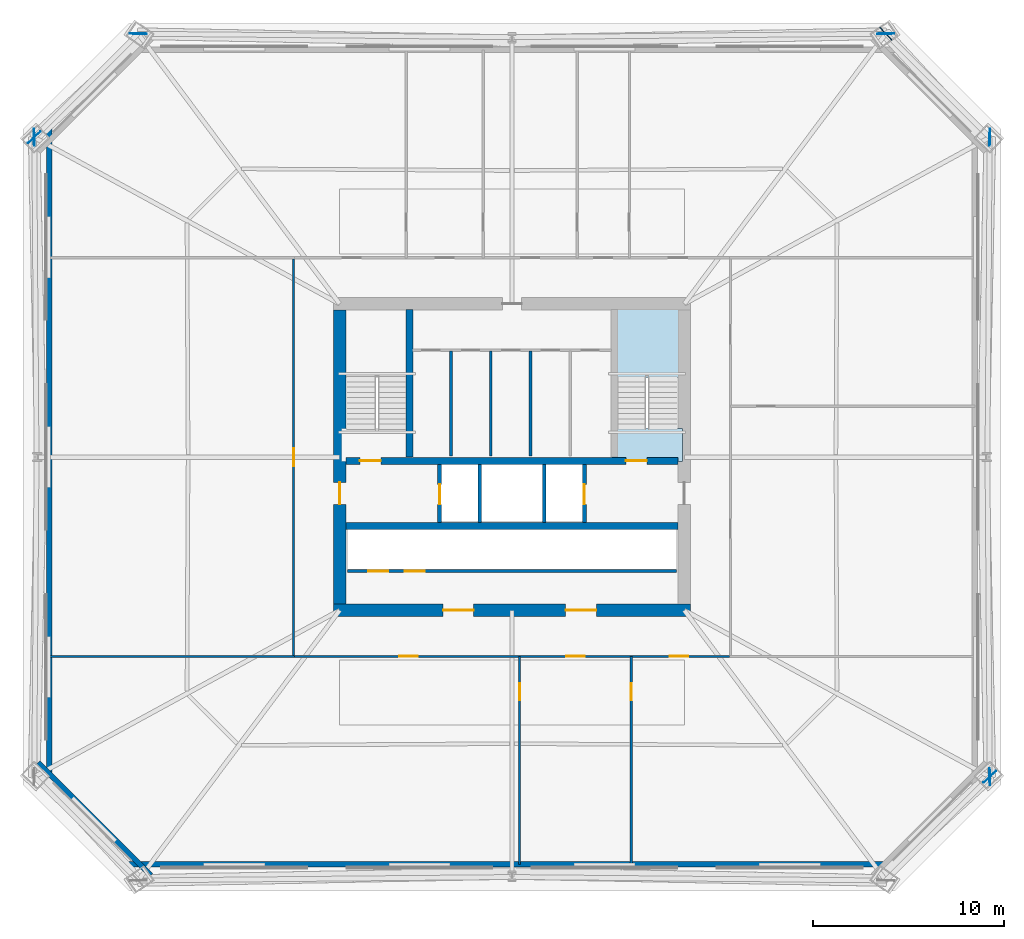
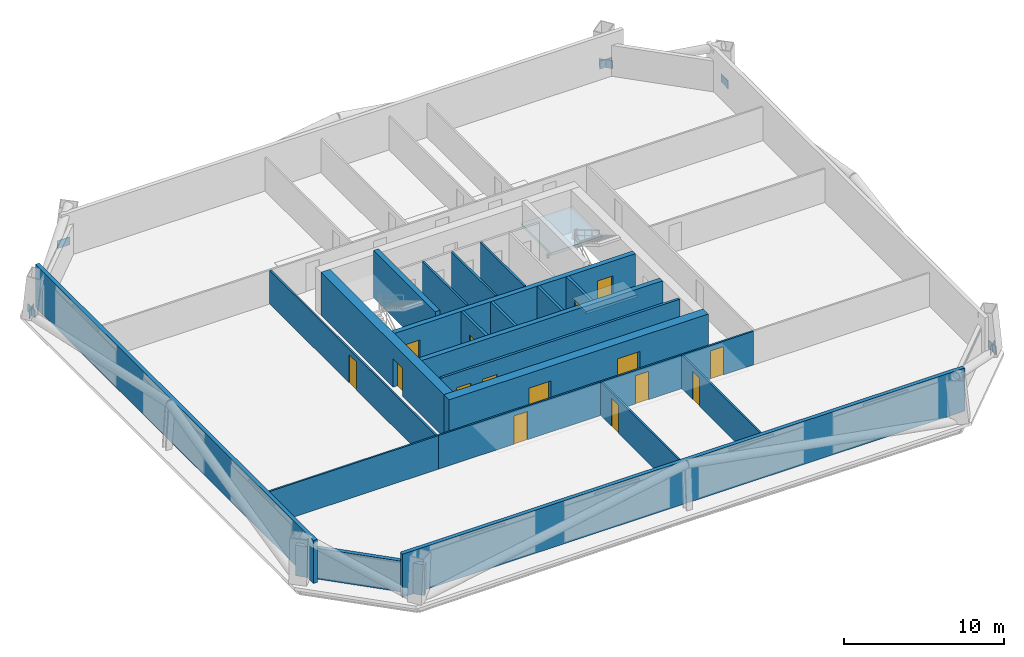
# One storey, part 4 of 9: 21 walls, 15 doors, 8 plates, 2 slabs, 15 openings, 1 element without a shape of its own.
"""IFC4 building model written with IfcOpenShell, lengths in metres."""

from ifc_helpers import new_model, si_unit, direction, frame, frame_2d, origin, origin_2d, place, context, subcontext, project, spatial, polyline, rectangle, outline, extrude, material, layer, layer_set, type_object, element, fill, aggregate, save


model = new_model("IFC4")

# Units and contexts
model_context = context("Model", 3, precision=1e-05, world=origin(), true_north=direction((0.0, 1.0)))
body_context = subcontext(model_context, "Body", "Model", "MODEL_VIEW")
ifc_project = project(units=[si_unit("LENGTHUNIT", "METRE"), si_unit("AREAUNIT", "SQUARE_METRE"), si_unit("VOLUMEUNIT", "CUBIC_METRE"), si_unit("PLANEANGLEUNIT", "RADIAN"), si_unit("MASSUNIT", "GRAM", prefix="KILO")], contexts=[model_context])

# Site, building, storey
site_placement = place(None, origin())
site = spatial("IfcSite", under=ifc_project, at=site_placement, CompositionType="ELEMENT")
building_placement = place(site_placement, origin())
building = spatial("IfcBuilding", under=site, at=building_placement, Name="Caelvoria Tower", CompositionType="ELEMENT")
storey_placement = place(building_placement, frame((0.0, 0.0, 82.0)))
storey = spatial("IfcBuildingStorey", under=building, at=storey_placement, Name="L21", CompositionType="ELEMENT", Elevation=82.0)

# Plates
ifc_material_1 = material(Name="Structural Steel ASTM A572 Gr.50", Category="steel")
ifc_layer_1 = layer(ifc_material_1, 0.0400390625, Name="Structural Steel ASTM A572 Gr.50")
ifc_layer_set_1 = layer_set([ifc_layer_1], Name="Megaframe Node Gusset Plate 900x600x40 - Structural Steel ASTM A572 Gr.50")
plate_type = type_object("IfcPlateType", Name="Megaframe Node Gusset Plate 900x600x40", PredefinedType="USERDEFINED", material=ifc_layer_set_1)
for number, where, z_axis, x_axis, name in (
    (1, (70.95166015625, 15.300537109375, 0.02001953125), (0.0, 0.0, 1.0), (-0.736686312224, -0.676234631901, 0.0), "Chamfer Mega Brace Gusset L21 SE"),
    (2, (65.5234375, 54.1103515625, 0.02001953125), (0.0, 0.0, 1.0), (0.678423855626, -0.734670723602, 0.0), "Chamfer Mega Brace Gusset L21 NE"),
    (3, (21.04833984375, 48.699462890625, 0.02001953125), (0.0, 0.0, 1.0), (0.736686312224, 0.676234631901, 0.0), "Chamfer Mega Brace Gusset L21 NW"),
    (4, (70.95166015625, 15.300537109375, 0.050048828125), (0.0, 0.0, 1.0), (-0.020253161105, 0.999794883696, 0.0), "Megaframe Node Gusset Plate ND-04"),
    (5, (70.95166015625, 48.699462890625, 0.050048828125), (0.0, 0.0, 1.0), (-0.020253161105, -0.999794883696, 0.0), "Megaframe Node Gusset Plate ND-04"),
    (6, (65.5234375, 54.1103515625, 0.050048828125), (0.0, 0.0, 1.0), (-0.99982663572, -0.01861984171, 0.0), "Megaframe Node Gusset Plate ND-04"),
    (7, (26.4765625, 54.1103515625, 0.050048828125), (0.0, 0.0, 1.0), (0.99982663572, -0.01861984171, 0.0), "Megaframe Node Gusset Plate ND-04"),
    (8, (21.04833984375, 48.699462890625, 0.050048828125), (0.0, 0.0, 1.0), (0.020253161105, -0.999794883696, 0.0), "Megaframe Node Gusset Plate ND-04"),
):
    element("IfcPlate", number, at=place(storey_placement, frame(where, z_axis=z_axis, x_axis=x_axis)), inside=storey, type_object=plate_type, Name=name, ObjectType="GUSSET_PLATE", PredefinedType="USERDEFINED", context=body_context, shape_type="SweptSolid", body=[
        extrude(rectangle(XDim=0.89990234375, YDim=0.0400390625, at=origin_2d()), origin(), (0.0, 0.0, 1.0), 0.60009765625),
    ])

# Stair, slabs
ifc_material_2 = material(Name="Concrete C40/50", Category="concrete")
stair_type = type_object("IfcStairType", Name="Core Smokeproof Dogleg Stair Concrete C40/50", PredefinedType="HALF_TURN_STAIR", material=ifc_material_2)
stair_placement = place(storey_placement, origin())
stair = element("IfcStair", 9, at=stair_placement, inside=storey, type_object=stair_type, Name="ST-02 Smokeproof Exit Stair L21", PredefinedType="HALF_TURN_STAIR")
ifc_layer_2 = layer(ifc_material_2, 0.199951171875, Name="Concrete C40/50")
ifc_layer_set_2 = layer_set([ifc_layer_2], Name="Stair Half and Floor Landing Slab 200 Concrete C40/50 - Concrete C40/50")
slab_type = type_object("IfcSlabType", Name="Stair Half and Floor Landing Slab 200 Concrete C40/50", PredefinedType="LANDING", material=ifc_layer_set_2)
slab_1_placement = place(storey_placement, frame((0.0, 0.0, -0.199951171875)))
slab_1 = element("IfcSlab", 10, at=slab_1_placement, type_object=slab_type, Name="ST-02 landing 1", PredefinedType="LANDING", context=body_context, shape_type="SweptSolid", body=[
    extrude(outline(polyline([(51.199951171875, 31.77001953125), (54.89990234375, 31.77001953125), (54.89990234375, 33.5), (51.199951171875, 33.5), (51.199951171875, 31.77001953125)])), origin(), (0.0, 0.0, 1.0), 0.199951171875),
])
slab_2_placement = place(storey_placement, frame((0.0, 0.0, 1.60009765625)))
slab_2 = element("IfcSlab", 11, at=slab_2_placement, type_object=slab_type, Name="ST-02 landing 2", PredefinedType="LANDING", context=body_context, shape_type="SweptSolid", body=[
    extrude(outline(polyline([(51.199951171875, 36.14990234375), (54.89990234375, 36.14990234375), (54.89990234375, 39.89990234375), (51.199951171875, 39.89990234375), (51.199951171875, 36.14990234375)])), origin(), (0.0, 0.0, 1.0), 0.199951171875),
])
aggregate(stair, [slab_1, slab_2])

# Wall, openings, doors
ifc_material_3 = material(Name="Concrete C50/60", Category="concrete")
ifc_layer_3 = layer(ifc_material_3, 0.35009765625, Name="Concrete C50/60")
ifc_layer_set_3 = layer_set([ifc_layer_3], Name="Core Internal Shear Wall 350 - Concrete C50/60")
wall_type_1 = type_object("IfcWallType", Name="Core Internal Shear Wall 350", PredefinedType="SHEAR", material=ifc_layer_set_3)
wall_1_placement = place(storey_placement, frame((37.324951171875, 31.800048828125, 0.0), z_axis=(0.0, 0.0, 1.0), x_axis=(1.0, 0.0, 0.0)))
wall_1 = element("IfcWall", 12, at=wall_1_placement, inside=storey, type_object=wall_type_1, Name="Core Shear Wall L21 M1", PredefinedType="SHEAR", context=body_context, shape_type="SweptSolid", body=[
    extrude(rectangle(XDim=17.35009765625, YDim=0.35009765625, at=frame_2d((8.675048828125, 0.0))), origin(), (0.0, 0.0, 1.0), 3.280029296875),
])
opening_1_placement = place(wall_1_placement, frame((0.72509765625, 0.0, 0.0)))
opening_1 = element("IfcOpeningElement", 13, at=opening_1_placement, cuts=wall_1, Name="Opening ID-01", PredefinedType="OPENING", context=body_context, shape_type="SweptSolid", body=[
    extrude(rectangle(XDim=1.10009765625, YDim=2.14990234375, at=frame_2d((0.550048828125, 1.074951171875))), frame((0.0, 0.18505859375, 0.0), z_axis=(0.0, -1.0, 0.0), x_axis=(1.0, 0.0, 0.0)), (0.0, 0.0, 1.0), 0.3701171875),
])
opening_2_placement = place(wall_1_placement, frame((14.625, 0.0, 0.0)))
opening_2 = element("IfcOpeningElement", 14, at=opening_2_placement, cuts=wall_1, Name="Opening ID-01", PredefinedType="OPENING", context=body_context, shape_type="SweptSolid", body=[
    extrude(rectangle(XDim=1.10009765625, YDim=2.14990234375, at=frame_2d((0.550048828125, 1.074951171875))), frame((0.0, 0.18505859375, 0.0), z_axis=(0.0, -1.0, 0.0), x_axis=(1.0, 0.0, 0.0)), (0.0, 0.0, 1.0), 0.3701171875),
])
ifc_material_4 = material(Name="Painted Hollow Steel Fire Door", Category="steel")
door_type_1 = type_object("IfcDoorType", Name="Fire Door FD90S 1100x2150", OperationType="NOTDEFINED", PredefinedType="DOOR", material=ifc_material_4)
door_1_placement = place(opening_1_placement, origin())
door_1 = element("IfcDoor", 15, at=door_1_placement, inside=storey, type_object=door_type_1, Name="Core Door DR-L21-ST1", OperationType="SINGLE_SWING_LEFT", OverallHeight=2.14990234375, OverallWidth=1.10009765625, PredefinedType="DOOR", context=body_context, shape_type="SweptSolid", body=[
    extrude(rectangle(XDim=1.10009765625, YDim=2.14990234375, at=frame_2d((0.550048828125, 1.074951171875))), frame((0.0, 0.02490234375, 0.0), z_axis=(0.0, -1.0, 0.0), x_axis=(1.0, 0.0, 0.0)), (0.0, 0.0, 1.0), 0.050048828125),
])
fill(opening_1, door_1)
door_2_placement = place(opening_2_placement, origin())
door_2 = element("IfcDoor", 16, at=door_2_placement, inside=storey, type_object=door_type_1, Name="Core Door DR-L21-ST2", OperationType="SINGLE_SWING_RIGHT", OverallHeight=2.14990234375, OverallWidth=1.10009765625, PredefinedType="DOOR", context=body_context, shape_type="SweptSolid", body=[
    extrude(rectangle(XDim=1.10009765625, YDim=2.14990234375, at=frame_2d((0.550048828125, 1.074951171875))), frame((0.0, 0.02490234375, 0.0), z_axis=(0.0, -1.0, 0.0), x_axis=(1.0, 0.0, 0.0)), (0.0, 0.0, 1.0), 0.050048828125),
])
fill(opening_2, door_2)

# Walls
wall_2_placement = place(storey_placement, frame((37.324951171875, 28.39990234375, 0.0), z_axis=(0.0, 0.0, 1.0), x_axis=(1.0, 0.0, 0.0)))
element("IfcWall", 17, at=wall_2_placement, inside=storey, type_object=wall_type_1, Name="Core Shear Wall L21 M2", PredefinedType="SHEAR", context=body_context, shape_type="SweptSolid", body=[
    extrude(rectangle(XDim=17.35009765625, YDim=0.35009765625, at=frame_2d((8.675048828125, 0.0))), origin(), (0.0, 0.0, 1.0), 3.280029296875),
])
wall_3_placement = place(storey_placement, frame((40.64990234375, 32.0, 0.0), z_axis=(0.0, 0.0, 1.0), x_axis=(0.0, 1.0, 0.0)))
element("IfcWall", 18, at=wall_3_placement, inside=storey, type_object=wall_type_1, Name="Interior Partition IW-L21-ST1E", PredefinedType="SHEAR", context=body_context, shape_type="SweptSolid", body=[
    extrude(rectangle(XDim=7.699951171875, YDim=0.35009765625, at=frame_2d((3.85009765625, 0.0))), origin(), (0.0, 0.0, 1.0), 3.60009765625),
])
ifc_material_5 = material(Name="Moisture-Resistant Gypsum on Steel Stud", Category="steel")
ifc_layer_4 = layer(ifc_material_5, 0.139892578125, Name="Moisture-Resistant Gypsum on Steel Stud")
ifc_layer_set_4 = layer_set([ifc_layer_4], Name="Core Sanitary Acoustic Partition Wall 140 - Moisture-Resistant Gypsum on Steel Stud")
wall_type_2 = type_object("IfcWallType", Name="Core Sanitary Acoustic Partition Wall 140", PredefinedType="PARTITIONING", material=ifc_layer_set_4)
for number, where, z_axis, x_axis, name in (
    (19, (42.81005859375, 32.050048828125, 0.0), (0.0, 0.0, 1.0), (0.0, 1.0, 0.0), "Interior Partition IW-L21-C1V0"),
    (20, (44.889892578125, 32.050048828125, 0.0), (0.0, 0.0, 1.0), (0.0, 1.0, 0.0), "Interior Partition IW-L21-C1V1"),
    (21, (46.969970703125, 32.050048828125, 0.0), (0.0, 0.0, 1.0), (0.0, 1.0, 0.0), "Interior Partition IW-L21-C1V2"),
):
    element("IfcWall", number, at=place(storey_placement, frame(where, z_axis=z_axis, x_axis=x_axis)), inside=storey, type_object=wall_type_2, Name=name, PredefinedType="PARTITIONING", context=body_context, shape_type="SweptSolid", body=[
        extrude(rectangle(XDim=5.5, YDim=0.139892578125, at=frame_2d((2.75, 0.0))), origin(), (0.0, 0.0, 1.0), 3.280029296875),
    ])
ifc_material_6 = material(Name="Precast Concrete C40/50 with Bronze Cladding", Category="concrete")
ifc_layer_5 = layer(ifc_material_6, 0.280029296875, Name="Precast Concrete C40/50 with Bronze Cladding")
ifc_layer_set_5 = layer_set([ifc_layer_5], Name="Exterior Precast Concrete C40/50 Bronze-Clad Facade Wall 280 - Precast Concrete C40/50 with Bronze Cladding")
wall_type_3 = type_object("IfcWallType", Name="Exterior Precast Concrete C40/50 Bronze-Clad Facade Wall 280", PredefinedType="STANDARD", material=ifc_layer_set_5)
wall_4_placement = place(storey_placement, frame((25.760009765625, 10.72998046875, 0.0), z_axis=(0.0, 0.0, 1.0), x_axis=(1.0, 0.0, 0.0)))
element("IfcWall", 22, at=wall_4_placement, inside=storey, type_object=wall_type_3, Name="Exterior Facade Wall L21-E0", PredefinedType="STANDARD", context=body_context, shape_type="SweptSolid", body=[
    extrude(rectangle(XDim=40.47998046875, YDim=0.280029296875, at=frame_2d((20.239990234375, 0.0))), origin(), (0.0, 0.0, 1.0), 3.280029296875),
])
wall_5_placement = place(storey_placement, frame((21.830078125, 49.340087890625, 0.0), z_axis=(0.0, 0.0, 1.0), x_axis=(0.0, -1.0, 0.0)))
element("IfcWall", 23, at=wall_5_placement, inside=storey, type_object=wall_type_3, Name="Exterior Facade Wall L21-E6", PredefinedType="STANDARD", context=body_context, shape_type="SweptSolid", body=[
    extrude(rectangle(XDim=34.68017578125, YDim=0.280029296875, at=frame_2d((17.340087890625, 0.0))), origin(), (0.0, 0.0, 1.0), 3.280029296875),
])
wall_6_placement = place(storey_placement, frame((21.256103515625, 16.04541015625, 0.0), z_axis=(0.0, 0.0, 1.0), x_axis=(0.707106781187, -0.707106781187, 0.0)))
element("IfcWall", 24, at=wall_6_placement, inside=storey, type_object=wall_type_3, Name="Exterior Facade Wall L21-E7", PredefinedType="STANDARD", context=body_context, shape_type="SweptSolid", body=[
    extrude(rectangle(XDim=8.328857421875, YDim=0.280029296875, at=frame_2d((4.16455078125, 0.0))), origin(), (0.0, 0.0, 1.0), 2.343017578125),
])
ifc_material_7 = material(Name="Concrete Block and Fireboard Assembly", Category="concrete")
ifc_layer_6 = layer(ifc_material_7, 0.179931640625, Name="Concrete Block and Fireboard Assembly")
ifc_layer_set_6 = layer_set([ifc_layer_6], Name="Fire-Rated Hoistway Partition Wall 180 - Concrete Block and Fireboard Assembly")
wall_type_4 = type_object("IfcWallType", Name="Fire-Rated Hoistway Partition Wall 180", PredefinedType="PARTITIONING", material=ifc_layer_set_6)
for number, where, z_axis, x_axis, name in (
    (25, (44.320068359375, 28.580078125, 0.0), (0.0, 0.0, 1.0), (0.0, 1.0, 0.0), "Interior Partition IW-L21-SV1W"),
    (26, (47.679931640625, 28.580078125, 0.0), (0.0, 0.0, 1.0), (0.0, 1.0, 0.0), "Interior Partition IW-L21-SV1E"),
):
    element("IfcWall", number, at=place(storey_placement, frame(where, z_axis=z_axis, x_axis=x_axis)), inside=storey, type_object=wall_type_4, Name=name, PredefinedType="PARTITIONING", context=body_context, shape_type="SweptSolid", body=[
        extrude(rectangle(XDim=3.0400390625, YDim=0.179931640625, at=frame_2d((1.52001953125, 0.0))), origin(), (0.0, 0.0, 1.0), 3.280029296875),
    ])

# Wall, openings, doors
wall_7_placement = place(storey_placement, frame((37.39990234375, 26.050048828125, 0.0), z_axis=(0.0, 0.0, 1.0), x_axis=(1.0, 0.0, 0.0)))
wall_7 = element("IfcWall", 27, at=wall_7_placement, inside=storey, type_object=wall_type_4, Name="Interior Partition IW-L21-LFRONT", PredefinedType="PARTITIONING", context=body_context, shape_type="SweptSolid", body=[
    extrude(rectangle(XDim=17.2001953125, YDim=0.179931640625, at=frame_2d((8.60009765625, 0.0))), origin(), (0.0, 0.0, 1.0), 3.280029296875),
])
opening_3_placement = place(wall_7_placement, frame((1.10009765625, 0.0, 0.0)))
opening_3 = element("IfcOpeningElement", 28, at=opening_3_placement, cuts=wall_7, Name="Opening LD-01", PredefinedType="OPENING", context=body_context, shape_type="SweptSolid", body=[
    extrude(rectangle(XDim=1.050048828125, YDim=2.14990234375, at=frame_2d((0.52490234375, 1.074951171875))), frame((0.0, 0.099853515625, 0.0), z_axis=(0.0, -1.0, 0.0), x_axis=(1.0, 0.0, 0.0)), (0.0, 0.0, 1.0), 0.199951171875),
])
opening_4_placement = place(wall_7_placement, frame((3.0, 0.0, 0.0)))
opening_4 = element("IfcOpeningElement", 29, at=opening_4_placement, cuts=wall_7, Name="Opening LD-01", PredefinedType="OPENING", context=body_context, shape_type="SweptSolid", body=[
    extrude(rectangle(XDim=1.050048828125, YDim=2.14990234375, at=frame_2d((0.52490234375, 1.074951171875))), frame((0.0, 0.099853515625, 0.0), z_axis=(0.0, -1.0, 0.0), x_axis=(1.0, 0.0, 0.0)), (0.0, 0.0, 1.0), 0.199951171875),
])
ifc_material_8 = material(Name="Brushed Bronze Stainless Sliding Landing Door", Category="aluminium")
door_type_2 = type_object("IfcDoorType", Name="Lift Landing Sliding Door 1100x2150", OperationType="NOTDEFINED", PredefinedType="DOOR", material=ifc_material_8)
door_3_placement = place(opening_3_placement, origin())
door_3 = element("IfcDoor", 30, at=door_3_placement, inside=storey, type_object=door_type_2, Name="Interior Door LD-L21-PL1", OperationType="SLIDING_TO_LEFT", OverallHeight=2.14990234375, OverallWidth=1.050048828125, PredefinedType="DOOR", context=body_context, shape_type="SweptSolid", body=[
    extrude(rectangle(XDim=1.050048828125, YDim=2.14990234375, at=frame_2d((0.52490234375, 1.074951171875))), frame((0.0, 0.02490234375, 0.0), z_axis=(0.0, -1.0, 0.0), x_axis=(1.0, 0.0, 0.0)), (0.0, 0.0, 1.0), 0.050048828125),
])
fill(opening_3, door_3)
door_4_placement = place(opening_4_placement, origin())
door_4 = element("IfcDoor", 31, at=door_4_placement, inside=storey, type_object=door_type_2, Name="Interior Door LD-L21-PL2", OperationType="SLIDING_TO_RIGHT", OverallHeight=2.14990234375, OverallWidth=1.050048828125, PredefinedType="DOOR", context=body_context, shape_type="SweptSolid", body=[
    extrude(rectangle(XDim=1.050048828125, YDim=2.14990234375, at=frame_2d((0.52490234375, 1.074951171875))), frame((0.0, 0.02490234375, 0.0), z_axis=(0.0, -1.0, 0.0), x_axis=(1.0, 0.0, 0.0)), (0.0, 0.0, 1.0), 0.050048828125),
])
fill(opening_4, door_4)

# Wall, opening, door
ifc_layer_7 = layer(ifc_material_7, 0.199951171875, Name="Concrete Block and Fireboard Assembly")
ifc_layer_set_7 = layer_set([ifc_layer_7], Name="Fire-Rated Shaft and Core Partition Wall 200 - Concrete Block and Fireboard Assembly")
wall_type_5 = type_object("IfcWallType", Name="Fire-Rated Shaft and Core Partition Wall 200", PredefinedType="PARTITIONING", material=ifc_layer_set_7)
wall_8_placement = place(storey_placement, frame((42.219970703125, 28.580078125, 0.0), z_axis=(0.0, 0.0, 1.0), x_axis=(0.0, 1.0, 0.0)))
wall_8 = element("IfcWall", 32, at=wall_8_placement, inside=storey, type_object=wall_type_5, Name="Interior Partition IW-L21-LF1W", PredefinedType="PARTITIONING", context=body_context, shape_type="SweptSolid", body=[
    extrude(rectangle(XDim=3.0400390625, YDim=0.199951171875, at=frame_2d((1.52001953125, 0.0))), origin(), (0.0, 0.0, 1.0), 3.280029296875),
])
opening_5_placement = place(wall_8_placement, frame((0.949951171875, 0.0, 0.0)))
opening_5 = element("IfcOpeningElement", 33, at=opening_5_placement, cuts=wall_8, Name="Opening LD-01", PredefinedType="OPENING", context=body_context, shape_type="SweptSolid", body=[
    extrude(rectangle(XDim=1.050048828125, YDim=2.14990234375, at=frame_2d((0.52490234375, 1.074951171875))), frame((0.0, 0.10986328125, 0.0), z_axis=(0.0, -1.0, 0.0), x_axis=(1.0, 0.0, 0.0)), (0.0, 0.0, 1.0), 0.219970703125),
])
door_5_placement = place(opening_5_placement, origin())
door_5 = element("IfcDoor", 34, at=door_5_placement, inside=storey, type_object=door_type_2, Name="Interior Door LD-L21-LF1", OperationType="SLIDING_TO_LEFT", OverallHeight=2.14990234375, OverallWidth=1.050048828125, PredefinedType="DOOR", context=body_context, shape_type="SweptSolid", body=[
    extrude(rectangle(XDim=1.050048828125, YDim=2.14990234375, at=frame_2d((0.52490234375, 1.074951171875))), frame((0.0, 0.02490234375, 0.0), z_axis=(0.0, -1.0, 0.0), x_axis=(1.0, 0.0, 0.0)), (0.0, 0.0, 1.0), 0.050048828125),
])
fill(opening_5, door_5)

wall_9_placement = place(storey_placement, frame((49.780029296875, 28.580078125, 0.0), z_axis=(0.0, 0.0, 1.0), x_axis=(0.0, 1.0, 0.0)))
wall_9 = element("IfcWall", 35, at=wall_9_placement, inside=storey, type_object=wall_type_5, Name="Interior Partition IW-L21-LF2E", PredefinedType="PARTITIONING", context=body_context, shape_type="SweptSolid", body=[
    extrude(rectangle(XDim=3.0400390625, YDim=0.199951171875, at=frame_2d((1.52001953125, 0.0))), origin(), (0.0, 0.0, 1.0), 3.280029296875),
])
opening_6_placement = place(wall_9_placement, frame((0.949951171875, 0.0, 0.0)))
opening_6 = element("IfcOpeningElement", 36, at=opening_6_placement, cuts=wall_9, Name="Opening LD-01", PredefinedType="OPENING", context=body_context, shape_type="SweptSolid", body=[
    extrude(rectangle(XDim=1.050048828125, YDim=2.14990234375, at=frame_2d((0.52490234375, 1.074951171875))), frame((0.0, 0.10986328125, 0.0), z_axis=(0.0, -1.0, 0.0), x_axis=(1.0, 0.0, 0.0)), (0.0, 0.0, 1.0), 0.219970703125),
])
door_6_placement = place(opening_6_placement, origin())
door_6 = element("IfcDoor", 37, at=door_6_placement, inside=storey, type_object=door_type_2, Name="Interior Door LD-L21-LF2", OperationType="SLIDING_TO_RIGHT", OverallHeight=2.14990234375, OverallWidth=1.050048828125, PredefinedType="DOOR", context=body_context, shape_type="SweptSolid", body=[
    extrude(rectangle(XDim=1.050048828125, YDim=2.14990234375, at=frame_2d((0.52490234375, 1.074951171875))), frame((0.0, 0.02490234375, 0.0), z_axis=(0.0, -1.0, 0.0), x_axis=(1.0, 0.0, 0.0)), (0.0, 0.0, 1.0), 0.050048828125),
])
fill(opening_6, door_6)

# Wall, openings, doors
ifc_material_9 = material(Name="Concrete C60/75", Category="concrete")
ifc_layer_8 = layer(ifc_material_9, 0.64990234375, Name="Concrete C60/75")
ifc_layer_set_8 = layer_set([ifc_layer_8], Name="Lower Core Shear Wall 650 - Concrete C60/75")
wall_type_6 = type_object("IfcWallType", Name="Lower Core Shear Wall 650", PredefinedType="SHEAR", material=ifc_layer_set_8)
wall_10_placement = place(storey_placement, frame((36.675048828125, 24.0, 0.0), z_axis=(0.0, 0.0, 1.0), x_axis=(1.0, 0.0, 0.0)))
wall_10 = element("IfcWall", 38, at=wall_10_placement, inside=storey, type_object=wall_type_6, Name="Core Shear Wall L21 S", PredefinedType="SHEAR", context=body_context, shape_type="SweptSolid", body=[
    extrude(rectangle(XDim=18.64990234375, YDim=0.64990234375, at=frame_2d((9.324951171875, 0.0))), origin(), (0.0, 0.0, 1.0), 3.280029296875),
])
opening_7_placement = place(wall_10_placement, frame((5.72509765625, 0.0, 0.0)))
opening_7 = element("IfcOpeningElement", 39, at=opening_7_placement, cuts=wall_10, Name="Opening ID-08", PredefinedType="OPENING", context=body_context, shape_type="SweptSolid", body=[
    extrude(rectangle(XDim=1.60009765625, YDim=2.14990234375, at=frame_2d((0.800048828125, 1.074951171875))), frame((0.0, 0.3349609375, 0.0), z_axis=(0.0, -1.0, 0.0), x_axis=(1.0, 0.0, 0.0)), (0.0, 0.0, 1.0), 0.669921875),
])
opening_8_placement = place(wall_10_placement, frame((12.125, 0.0, 0.0)))
opening_8 = element("IfcOpeningElement", 40, at=opening_8_placement, cuts=wall_10, Name="Opening ID-08", PredefinedType="OPENING", context=body_context, shape_type="SweptSolid", body=[
    extrude(rectangle(XDim=1.60009765625, YDim=2.14990234375, at=frame_2d((0.800048828125, 1.074951171875))), frame((0.0, 0.3349609375, 0.0), z_axis=(0.0, -1.0, 0.0), x_axis=(1.0, 0.0, 0.0)), (0.0, 0.0, 1.0), 0.669921875),
])
ifc_material_10 = material(Name="Bronze-Framed Fire-Rated Glazed Double Door", Category="aluminium")
door_type_3 = type_object("IfcDoorType", Name="Double Lobby Glazed Door 1600x2200", OperationType="NOTDEFINED", PredefinedType="DOOR", material=ifc_material_10)
door_7_placement = place(opening_7_placement, origin())
door_7 = element("IfcDoor", 41, at=door_7_placement, inside=storey, type_object=door_type_3, Name="Core Door DR-L21-LLOB-S1", OperationType="DOUBLE_DOOR_SINGLE_SWING", OverallHeight=2.14990234375, OverallWidth=1.60009765625, PredefinedType="DOOR", context=body_context, shape_type="SweptSolid", body=[
    extrude(rectangle(XDim=1.60009765625, YDim=2.14990234375, at=frame_2d((0.800048828125, 1.074951171875))), frame((0.0, 0.02490234375, 0.0), z_axis=(0.0, -1.0, 0.0), x_axis=(1.0, 0.0, 0.0)), (0.0, 0.0, 1.0), 0.050048828125),
])
fill(opening_7, door_7)
door_8_placement = place(opening_8_placement, origin())
door_8 = element("IfcDoor", 42, at=door_8_placement, inside=storey, type_object=door_type_3, Name="Core Door DR-L21-LLOB-S2", OperationType="DOUBLE_DOOR_SINGLE_SWING", OverallHeight=2.14990234375, OverallWidth=1.60009765625, PredefinedType="DOOR", context=body_context, shape_type="SweptSolid", body=[
    extrude(rectangle(XDim=1.60009765625, YDim=2.14990234375, at=frame_2d((0.800048828125, 1.074951171875))), frame((0.0, 0.02490234375, 0.0), z_axis=(0.0, -1.0, 0.0), x_axis=(1.0, 0.0, 0.0)), (0.0, 0.0, 1.0), 0.050048828125),
])
fill(opening_8, door_8)

# Wall, opening, door
wall_11_placement = place(storey_placement, frame((37.0, 24.324951171875, 0.0), z_axis=(0.0, 0.0, 1.0), x_axis=(0.0, 1.0, 0.0)))
wall_11 = element("IfcWall", 43, at=wall_11_placement, inside=storey, type_object=wall_type_6, Name="Core Shear Wall L21 W", PredefinedType="SHEAR", context=body_context, shape_type="SweptSolid", body=[
    extrude(rectangle(XDim=15.35009765625, YDim=0.64990234375, at=frame_2d((7.675048828125, 0.0))), origin(), (0.0, 0.0, 1.0), 3.280029296875),
])
opening_9_placement = place(wall_11_placement, frame((5.199951171875, 0.0, 0.0)))
opening_9 = element("IfcOpeningElement", 44, at=opening_9_placement, cuts=wall_11, Name="Opening ID-02", PredefinedType="OPENING", context=body_context, shape_type="SweptSolid", body=[
    extrude(rectangle(XDim=1.14990234375, YDim=2.14990234375, at=frame_2d((0.574951171875, 1.074951171875))), frame((0.0, 0.3349609375, 0.0), z_axis=(0.0, -1.0, 0.0), x_axis=(1.0, 0.0, 0.0)), (0.0, 0.0, 1.0), 0.669921875),
])
door_type_4 = type_object("IfcDoorType", Name="Fire Door FD60S 1150x2150", OperationType="NOTDEFINED", PredefinedType="DOOR", material=ifc_material_4)
door_9_placement = place(opening_9_placement, origin())
door_9 = element("IfcDoor", 45, at=door_9_placement, inside=storey, type_object=door_type_4, Name="Core Door DR-L21-FFLW-OUT", OperationType="SINGLE_SWING_LEFT", OverallHeight=2.14990234375, OverallWidth=1.14990234375, PredefinedType="DOOR", context=body_context, shape_type="SweptSolid", body=[
    extrude(rectangle(XDim=1.14990234375, YDim=2.14990234375, at=frame_2d((0.574951171875, 1.074951171875))), frame((0.0, 0.02490234375, 0.0), z_axis=(0.0, -1.0, 0.0), x_axis=(1.0, 0.0, 0.0)), (0.0, 0.0, 1.0), 0.050048828125),
])
fill(opening_9, door_9)

ifc_material_11 = material(Name="Acoustic Gypsum Board on Light-Gauge Stud", Category="gypsum")
ifc_layer_9 = layer(ifc_material_11, 0.1201171875, Name="Acoustic Gypsum Board on Light-Gauge Stud")
ifc_layer_set_9 = layer_set([ifc_layer_9], Name="Tenant Suite Acoustic Partition Wall 120 - Acoustic Gypsum Board on Light-Gauge Stud")
wall_type_7 = type_object("IfcWallType", Name="Tenant Suite Acoustic Partition Wall 120", PredefinedType="PARTITIONING", material=ifc_layer_set_9)
wall_12_placement = place(storey_placement, frame((46.393798828125, 21.590087890625, 0.0), z_axis=(0.0, 0.0, 1.0), x_axis=(0.0, -1.0, 0.0)))
wall_12 = element("IfcWall", 46, at=wall_12_placement, inside=storey, type_object=wall_type_7, Name="Interior Partition IW-L21-SD-00-0", PredefinedType="PARTITIONING", context=body_context, shape_type="SweptSolid", body=[
    extrude(rectangle(XDim=10.860107421875, YDim=0.1201171875, at=frame_2d((5.43017578125, 0.0))), origin(), (0.0, 0.0, 1.0), 2.56005859375),
])
opening_10_placement = place(wall_12_placement, frame((1.39990234375, 0.0, 0.0)))
opening_10 = element("IfcOpeningElement", 47, at=opening_10_placement, cuts=wall_12, Name="Opening ID-06", PredefinedType="OPENING", context=body_context, shape_type="SweptSolid", body=[
    extrude(rectangle(XDim=0.89990234375, YDim=2.14990234375, at=frame_2d((0.449951171875, 1.074951171875))), frame((0.0, 0.070068359375, 0.0), z_axis=(0.0, -1.0, 0.0), x_axis=(1.0, 0.0, 0.0)), (0.0, 0.0, 1.0), 0.14013671875),
])
ifc_material_12 = material(Name="Engineered Andean Oak Veneer Door", Category="wood")
door_type_5 = type_object("IfcDoorType", Name="Interior Timber Door 900x2150", OperationType="NOTDEFINED", PredefinedType="DOOR", material=ifc_material_12)
door_10_placement = place(opening_10_placement, origin())
door_10 = element("IfcDoor", 48, at=door_10_placement, inside=storey, type_object=door_type_5, Name="Interior Door DR-L21-SM-00-0", OperationType="SINGLE_SWING_RIGHT", OverallHeight=2.14990234375, OverallWidth=0.89990234375, PredefinedType="DOOR", context=body_context, shape_type="SweptSolid", body=[
    extrude(rectangle(XDim=0.89990234375, YDim=2.14990234375, at=frame_2d((0.449951171875, 1.074951171875))), frame((0.0, 0.02490234375, 0.0), z_axis=(0.0, -1.0, 0.0), x_axis=(1.0, 0.0, 0.0)), (0.0, 0.0, 1.0), 0.050048828125),
])
fill(opening_10, door_10)

wall_13_placement = place(storey_placement, frame((52.23291015625, 21.590087890625, 0.0), z_axis=(0.0, 0.0, 1.0), x_axis=(0.0, -1.0, 0.0)))
wall_13 = element("IfcWall", 49, at=wall_13_placement, inside=storey, type_object=wall_type_7, Name="Interior Partition IW-L21-SD-01-0", PredefinedType="PARTITIONING", context=body_context, shape_type="SweptSolid", body=[
    extrude(rectangle(XDim=10.860107421875, YDim=0.1201171875, at=frame_2d((5.43017578125, 0.0))), origin(), (0.0, 0.0, 1.0), 2.56005859375),
])
opening_11_placement = place(wall_13_placement, frame((1.39990234375, 0.0, 0.0)))
opening_11 = element("IfcOpeningElement", 50, at=opening_11_placement, cuts=wall_13, Name="Opening ID-06", PredefinedType="OPENING", context=body_context, shape_type="SweptSolid", body=[
    extrude(rectangle(XDim=0.89990234375, YDim=2.14990234375, at=frame_2d((0.449951171875, 1.074951171875))), frame((0.0, 0.070068359375, 0.0), z_axis=(0.0, -1.0, 0.0), x_axis=(1.0, 0.0, 0.0)), (0.0, 0.0, 1.0), 0.14013671875),
])
door_11_placement = place(opening_11_placement, origin())
door_11 = element("IfcDoor", 51, at=door_11_placement, inside=storey, type_object=door_type_5, Name="Interior Door DR-L21-SM-01-0", OperationType="SINGLE_SWING_LEFT", OverallHeight=2.14990234375, OverallWidth=0.89990234375, PredefinedType="DOOR", context=body_context, shape_type="SweptSolid", body=[
    extrude(rectangle(XDim=0.89990234375, YDim=2.14990234375, at=frame_2d((0.449951171875, 1.074951171875))), frame((0.0, 0.02490234375, 0.0), z_axis=(0.0, -1.0, 0.0), x_axis=(1.0, 0.0, 0.0)), (0.0, 0.0, 1.0), 0.050048828125),
])
fill(opening_11, door_11)

# Wall, openings, doors
wall_14_placement = place(storey_placement, frame((34.64990234375, 21.590087890625, 0.0), z_axis=(0.0, 0.0, 1.0), x_axis=(1.0, 0.0, 0.0)))
wall_14 = element("IfcWall", 52, at=wall_14_placement, inside=storey, type_object=wall_type_7, Name="Interior Partition IW-L21-SCW-0", PredefinedType="PARTITIONING", context=body_context, shape_type="SweptSolid", body=[
    extrude(rectangle(XDim=22.7001953125, YDim=0.1201171875, at=frame_2d((11.35009765625, 0.0))), origin(), (0.0, 0.0, 1.0), 2.56005859375),
])
opening_12_placement = place(wall_14_placement, frame((5.466796875, 0.0, 0.0)))
opening_12 = element("IfcOpeningElement", 53, at=opening_12_placement, cuts=wall_14, Name="Opening ID-05", PredefinedType="OPENING", context=body_context, shape_type="SweptSolid", body=[
    extrude(rectangle(XDim=0.949951171875, YDim=2.14990234375, at=frame_2d((0.47509765625, 1.074951171875))), frame((0.0, 0.070068359375, 0.0), z_axis=(0.0, -1.0, 0.0), x_axis=(1.0, 0.0, 0.0)), (0.0, 0.0, 1.0), 0.14013671875),
])
opening_13_placement = place(wall_14_placement, frame((14.188232421875, 0.0, 0.0)))
opening_13 = element("IfcOpeningElement", 54, at=opening_13_placement, cuts=wall_14, Name="Opening ID-05", PredefinedType="OPENING", context=body_context, shape_type="SweptSolid", body=[
    extrude(rectangle(XDim=0.949951171875, YDim=2.14990234375, at=frame_2d((0.47509765625, 1.074951171875))), frame((0.0, 0.070068359375, 0.0), z_axis=(0.0, -1.0, 0.0), x_axis=(1.0, 0.0, 0.0)), (0.0, 0.0, 1.0), 0.14013671875),
])
opening_14_placement = place(wall_14_placement, frame((19.596435546875, 0.0, 0.0)))
opening_14 = element("IfcOpeningElement", 55, at=opening_14_placement, cuts=wall_14, Name="Opening ID-05", PredefinedType="OPENING", context=body_context, shape_type="SweptSolid", body=[
    extrude(rectangle(XDim=0.949951171875, YDim=2.14990234375, at=frame_2d((0.47509765625, 1.074951171875))), frame((0.0, 0.070068359375, 0.0), z_axis=(0.0, -1.0, 0.0), x_axis=(1.0, 0.0, 0.0)), (0.0, 0.0, 1.0), 0.14013671875),
])
door_type_6 = type_object("IfcDoorType", Name="Interior Timber Door 950x2150", OperationType="NOTDEFINED", PredefinedType="DOOR", material=ifc_material_12)
door_12_placement = place(opening_12_placement, origin())
door_12 = element("IfcDoor", 56, at=door_12_placement, inside=storey, type_object=door_type_6, Name="Interior Door DR-L21-SC-00-0", OperationType="SINGLE_SWING_RIGHT", OverallHeight=2.14990234375, OverallWidth=0.949951171875, PredefinedType="DOOR", context=body_context, shape_type="SweptSolid", body=[
    extrude(rectangle(XDim=0.949951171875, YDim=2.14990234375, at=frame_2d((0.47509765625, 1.074951171875))), frame((0.0, 0.02490234375, 0.0), z_axis=(0.0, -1.0, 0.0), x_axis=(1.0, 0.0, 0.0)), (0.0, 0.0, 1.0), 0.050048828125),
])
fill(opening_12, door_12)
door_13_placement = place(opening_13_placement, origin())
door_13 = element("IfcDoor", 57, at=door_13_placement, inside=storey, type_object=door_type_6, Name="Interior Door DR-L21-SC-01-0", OperationType="SINGLE_SWING_LEFT", OverallHeight=2.14990234375, OverallWidth=0.949951171875, PredefinedType="DOOR", context=body_context, shape_type="SweptSolid", body=[
    extrude(rectangle(XDim=0.949951171875, YDim=2.14990234375, at=frame_2d((0.47509765625, 1.074951171875))), frame((0.0, 0.02490234375, 0.0), z_axis=(0.0, -1.0, 0.0), x_axis=(1.0, 0.0, 0.0)), (0.0, 0.0, 1.0), 0.050048828125),
])
fill(opening_13, door_13)
door_14_placement = place(opening_14_placement, origin())
door_14 = element("IfcDoor", 58, at=door_14_placement, inside=storey, type_object=door_type_6, Name="Interior Door DR-L21-SC-02-0", OperationType="SINGLE_SWING_RIGHT", OverallHeight=2.14990234375, OverallWidth=0.949951171875, PredefinedType="DOOR", context=body_context, shape_type="SweptSolid", body=[
    extrude(rectangle(XDim=0.949951171875, YDim=2.14990234375, at=frame_2d((0.47509765625, 1.074951171875))), frame((0.0, 0.02490234375, 0.0), z_axis=(0.0, -1.0, 0.0), x_axis=(1.0, 0.0, 0.0)), (0.0, 0.0, 1.0), 0.050048828125),
])
fill(opening_14, door_14)

# Wall, opening, door
wall_15_placement = place(storey_placement, frame((34.590087890625, 21.64990234375, 0.0), z_axis=(0.0, 0.0, 1.0), x_axis=(0.0, 1.0, 0.0)))
wall_15 = element("IfcWall", 59, at=wall_15_placement, inside=storey, type_object=wall_type_7, Name="Interior Partition IW-L21-WCW-0", PredefinedType="PARTITIONING", context=body_context, shape_type="SweptSolid", body=[
    extrude(rectangle(XDim=20.7001953125, YDim=0.1201171875, at=frame_2d((10.35009765625, 0.0))), origin(), (0.0, 0.0, 1.0), 2.56005859375),
])
opening_15_placement = place(wall_15_placement, frame((9.875, 0.0, 0.0)))
opening_15 = element("IfcOpeningElement", 60, at=opening_15_placement, cuts=wall_15, Name="Opening ID-05", PredefinedType="OPENING", context=body_context, shape_type="SweptSolid", body=[
    extrude(rectangle(XDim=0.949951171875, YDim=2.14990234375, at=frame_2d((0.47509765625, 1.074951171875))), frame((0.0, 0.070068359375, 0.0), z_axis=(0.0, -1.0, 0.0), x_axis=(1.0, 0.0, 0.0)), (0.0, 0.0, 1.0), 0.14013671875),
])
door_15_placement = place(opening_15_placement, origin())
door_15 = element("IfcDoor", 61, at=door_15_placement, inside=storey, type_object=door_type_6, Name="Interior Door DR-L21-WC-00-0", OperationType="SINGLE_SWING_RIGHT", OverallHeight=2.14990234375, OverallWidth=0.949951171875, PredefinedType="DOOR", context=body_context, shape_type="SweptSolid", body=[
    extrude(rectangle(XDim=0.949951171875, YDim=2.14990234375, at=frame_2d((0.47509765625, 1.074951171875))), frame((0.0, 0.02490234375, 0.0), z_axis=(0.0, -1.0, 0.0), x_axis=(1.0, 0.0, 0.0)), (0.0, 0.0, 1.0), 0.050048828125),
])
fill(opening_15, door_15)

# Wall
wall_16_placement = place(storey_placement, frame((34.64990234375, 21.590087890625, 0.0), z_axis=(0.0, 0.0, 1.0), x_axis=(-1.0, 0.0, 0.0)))
element("IfcWall", 62, at=wall_16_placement, inside=storey, type_object=wall_type_7, Name="Interior Partition IW-L21-BSW-0", PredefinedType="PARTITIONING", context=body_context, shape_type="SweptSolid", body=[
    extrude(rectangle(XDim=12.81982421875, YDim=0.1201171875, at=frame_2d((6.409912109375, 0.0))), origin(), (0.0, 0.0, 1.0), 2.56005859375),
])

save(model, "model.ifc")
